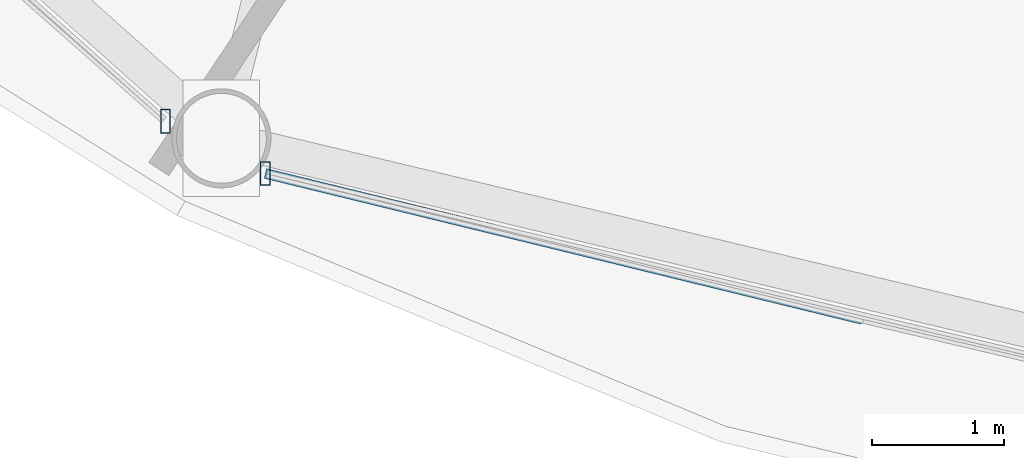
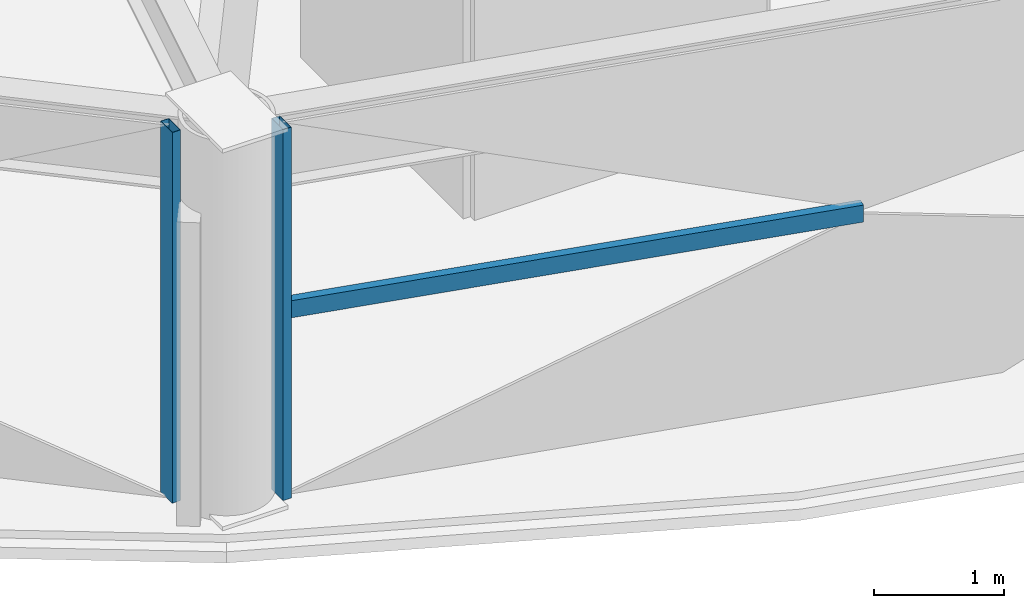
# One storey, part 2 of 31: 3 members, 2 elements without a shape of their own.
"""IFC4 building model written with IfcOpenShell, lengths in metres."""

from ifc_helpers import new_model, si_unit, direction, frame, origin, origin_2d, place, context, subcontext, project, spatial, hollow_rectangle, extrude, material, layer, layer_set, material_profile, profile_set, type_object, element, aggregate, save


model = new_model("IFC4")

# Units and contexts
model_context = context("Model", 3, precision=1e-05, world=origin(), true_north=direction((0.0, 1.0)))
body_context = subcontext(model_context, "Body", "Model", "MODEL_VIEW")
ifc_project = project(units=[si_unit("LENGTHUNIT", "METRE"), si_unit("AREAUNIT", "SQUARE_METRE"), si_unit("VOLUMEUNIT", "CUBIC_METRE"), si_unit("PLANEANGLEUNIT", "RADIAN"), si_unit("MASSUNIT", "GRAM", prefix="KILO")], contexts=[model_context])

# Site, building, storey
site_placement = place(None, origin())
site = spatial("IfcSite", under=ifc_project, at=site_placement, CompositionType="ELEMENT")
building_placement = place(site_placement, origin())
building = spatial("IfcBuilding", under=site, at=building_placement, Name="Vantalir Tower", CompositionType="ELEMENT")
storey_placement = place(building_placement, frame((0.0, 0.0, 123.449951171875)))
storey = spatial("IfcBuildingStorey", under=building, at=storey_placement, Name="L30", CompositionType="ELEMENT", Elevation=123.449951171875)

# Curtain wall, member
ifc_material_1 = material(Name="Champagne-silver PVDF aluminium and double-silver Low-E glass", Category="aluminium")
ifc_layer = layer(ifc_material_1, 0.199951171875)
ifc_layer_set = layer_set([ifc_layer], Name="Champagne-silver PVDF aluminium and double-silver Low-E glass")
curtain_wall_type = type_object("IfcCurtainWallType", Name="CW-DIAMOND-Z2", PredefinedType="USERDEFINED", material=ifc_layer_set)
curtain_wall_1_placement = place(storey_placement, origin())
curtain_wall_1 = element("IfcCurtainWall", 1, at=curtain_wall_1_placement, inside=storey, type_object=curtain_wall_type, Name="L30 Quilted Pyramid-Diamond Curtain Wall S08", ObjectType="UNITISED CURTAIN WALL", PredefinedType="USERDEFINED")
ifc_material_2 = material(Name="Champagne-silver PVDF aluminium 6063-T6", Category="aluminium")
ifc_material_profile_1 = material_profile(ifc_material_2, hollow_rectangle(XDim=0.074951171875, YDim=0.179931640625, WallThickness=0.00390625, at=origin_2d()), Name="Champagne-silver PVDF aluminium 6063-T6")
ifc_profile_set_1 = profile_set([ifc_material_profile_1], Name="Champagne-silver PVDF aluminium 6063-T6")
member_type_1 = type_object("IfcMemberType", Name="CWM-180x75", PredefinedType="MULLION", material=ifc_profile_set_1)
member_1_placement = place(storey_placement, frame((18.406982421875, 5.5859375, 0.045166015625), z_axis=(0.0, 0.0, 1.0), x_axis=(1.0, 0.0, 0.0)))
member_1 = element("IfcMember", 2, at=member_1_placement, type_object=member_type_1, Name="CW-L30-S08 Mullion 2", PredefinedType="MULLION", context=body_context, shape_type="SweptSolid", body=[
    extrude(hollow_rectangle(XDim=0.074951171875, YDim=0.179931640625, WallThickness=0.00390625, at=origin_2d()), origin(), (0.0, 0.0, 1.0), 3.47998046875),
])
aggregate(curtain_wall_1, [member_1])

# Curtain wall, members
curtain_wall_2_placement = place(storey_placement, origin())
curtain_wall_2 = element("IfcCurtainWall", 3, at=curtain_wall_2_placement, inside=storey, type_object=curtain_wall_type, Name="L30 Quilted Pyramid-Diamond Curtain Wall S09", ObjectType="UNITISED CURTAIN WALL", PredefinedType="USERDEFINED")
member_2_placement = place(storey_placement, frame((19.1630859375, 5.19091796875, 0.045166015625), z_axis=(0.0, 0.0, 1.0), x_axis=(1.0, 0.0, 0.0)))
member_2 = element("IfcMember", 4, at=member_2_placement, type_object=member_type_1, Name="CW-L30-S09 Mullion 1", PredefinedType="MULLION", context=body_context, shape_type="SweptSolid", body=[
    extrude(hollow_rectangle(XDim=0.074951171875, YDim=0.179931640625, WallThickness=0.00390625, at=origin_2d()), origin(), (0.0, 0.0, 1.0), 3.47998046875),
])
ifc_material_profile_2 = material_profile(ifc_material_2, hollow_rectangle(XDim=0.074951171875, YDim=0.159912109375, WallThickness=0.00390625, at=origin_2d()), Name="Champagne-silver PVDF aluminium 6063-T6")
ifc_profile_set_2 = profile_set([ifc_material_profile_2], Name="Champagne-silver PVDF aluminium 6063-T6")
member_type_2 = type_object("IfcMemberType", Name="CWT-160x75", PredefinedType="USERDEFINED", material=ifc_profile_set_2)
member_3_placement = place(storey_placement, frame((19.1630859375, 5.19091796875, 1.78515625), z_axis=(0.971404658028, -0.237429969385, 0.0), x_axis=(0.237429969385, 0.971404658028, 0.0)))
member_3 = element("IfcMember", 5, at=member_3_placement, type_object=member_type_2, Name="CW-L30-S09 Pyramid Fold Ridge Transom", ObjectType="TRANSOM", PredefinedType="USERDEFINED", context=body_context, shape_type="SweptSolid", body=[
    extrude(hollow_rectangle(XDim=0.074951171875, YDim=0.159912109375, WallThickness=0.00390625, at=origin_2d()), origin(), (0.0, 0.0, 1.0), 4.64990234375),
])
aggregate(curtain_wall_2, [member_2, member_3])

save(model, "model.ifc")
